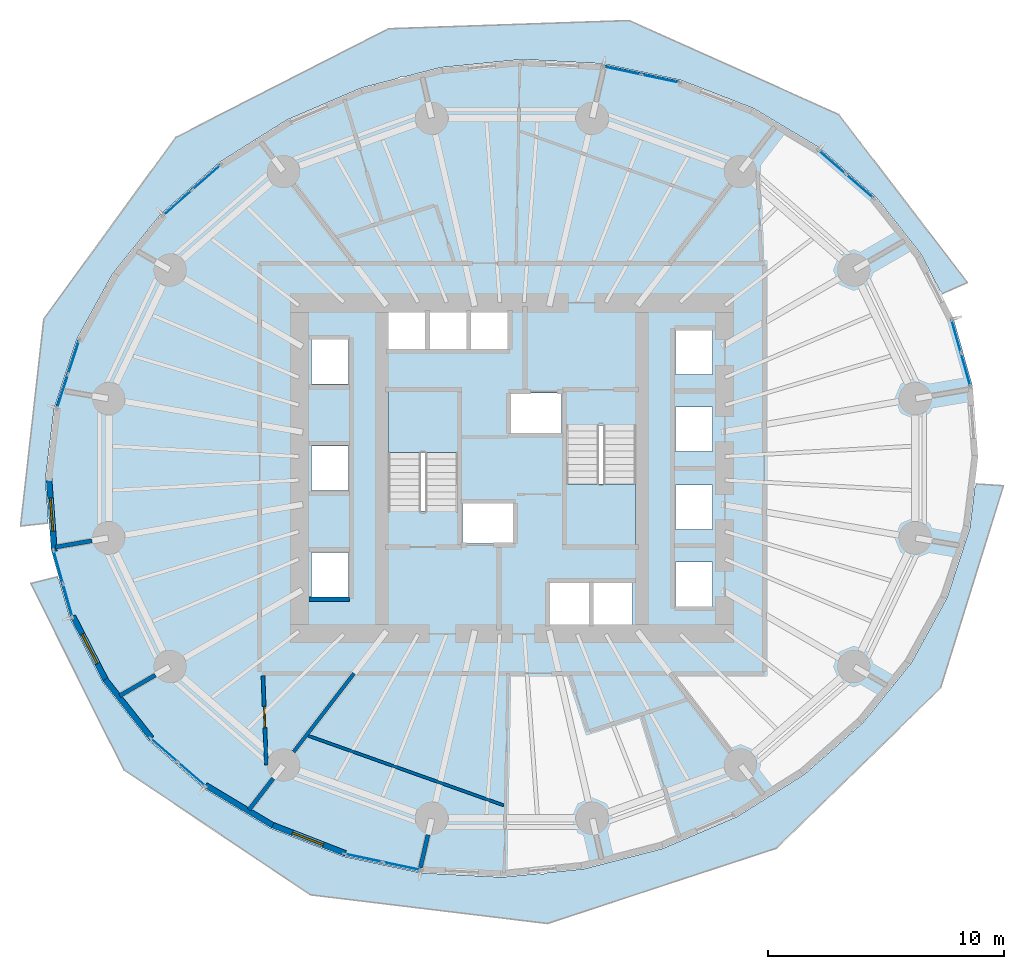
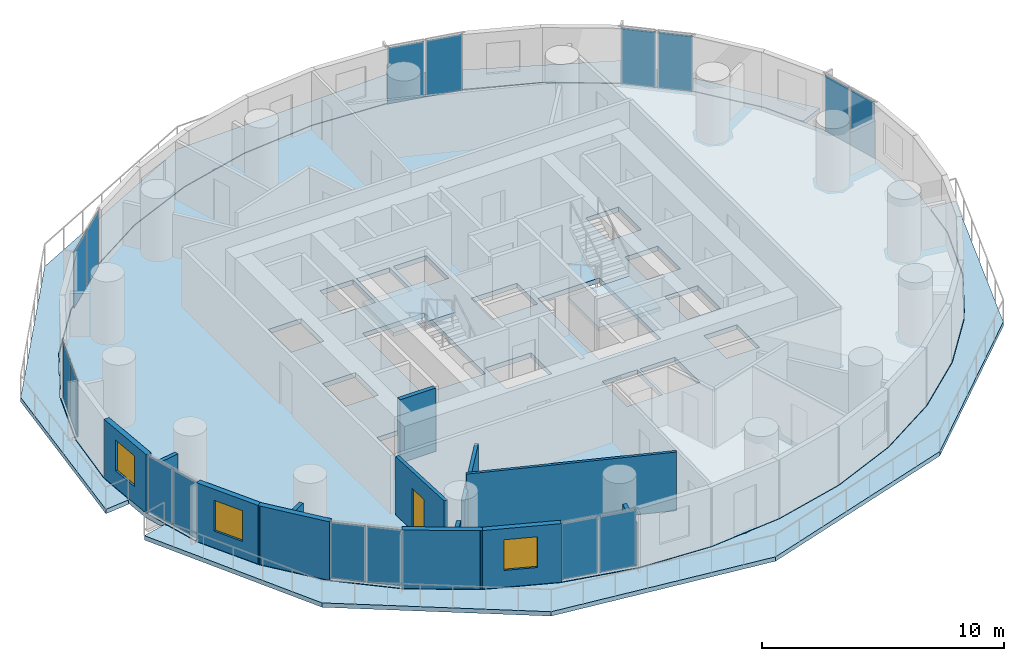
# One storey, part 6 of 13: 16 plates, 13 walls, 5 slabs, 3 windows, 1 door, 4 openings, 10 elements without a shape of their own.
"""IFC4 building model written with IfcOpenShell, lengths in metres."""

import ifcopenshell
import ifcopenshell.guid

model = None  # the IFC model being written
_history = None  # IfcOwnerHistory: only IFC2X3 demands one
_inside = {}  # id of a spatial element -> (the spatial element, [elements in it])
_under = {}  # id of a project, library or spatial element -> (it, [spatial elements below it])
_declared = {}  # id of a project -> (the project, [libraries it declares])
_typed = {}  # id of a type object -> (the type object, [elements of that type])
_made_of = {}  # id of a material, layer set ... -> (it, [elements and type objects made of it])


def new_model(schema):
    """Start an empty IFC model of exactly this schema.

    Asked for "IFC4X3", IfcOpenShell would pick the latest addendum, in which some entities
    have other attributes; the version numbers below select the first issue.
    IFC2X3 requires an IfcOwnerHistory on every rooted entity: one is made here for all.
    """
    global model, _history
    if schema == "IFC4X3":
        model = ifcopenshell.file(schema_version=(4, 3, 0, 0))
    else:
        model = ifcopenshell.file(schema=schema)
    _inside.clear()
    _under.clear()
    _declared.clear()
    _typed.clear()
    _made_of.clear()
    _history = None
    if model.schema == "IFC2X3":
        org = make("IfcOrganization", Name="unknown")
        user = make(
            "IfcPersonAndOrganization",
            ThePerson=make("IfcPerson", FamilyName="unknown"),
            TheOrganization=org,
        )
        app = make(
            "IfcApplication",
            ApplicationDeveloper=org,
            Version="unknown",
            ApplicationFullName="unknown",
            ApplicationIdentifier="unknown",
        )
        _history = make(
            "IfcOwnerHistory",
            OwningUser=user,
            OwningApplication=app,
            ChangeAction="ADDED",
            CreationDate=0,
        )
    return model


def make(cls, **values):
    """One entity of the class cls with the attributes given. An attribute that is None is left unset."""
    return model.create_entity(
        cls, **{name: value for name, value in values.items() if value is not None}
    )


def rooted(cls, **values):
    """An entity with a GlobalId (a new one), such as an element, a storey or a relation."""
    return make(cls, GlobalId=ifcopenshell.guid.new(), OwnerHistory=_history, **values)


def si_unit(unit_type, name, prefix=None):
    """IfcSIUnit, for example si_unit("LENGTHUNIT", "METRE", prefix="MILLI")."""
    return make("IfcSIUnit", UnitType=unit_type, Prefix=prefix, Name=name)


def assignment(units):
    """IfcUnitAssignment: the units of a project."""
    return None if units is None else make("IfcUnitAssignment", Units=units)


def point(xyz):
    """IfcCartesianPoint."""
    return None if xyz is None else make("IfcCartesianPoint", Coordinates=xyz)


def direction(xyz):
    """IfcDirection."""
    return None if xyz is None else make("IfcDirection", DirectionRatios=xyz)


def frame(location, z_axis=None, x_axis=None):
    """IfcAxis2Placement3D, a coordinate frame: its origin and axes. An axis left out is left unset."""
    return make(
        "IfcAxis2Placement3D",
        Location=point(location),
        Axis=direction(z_axis),
        RefDirection=direction(x_axis),
    )


def frame_2d(location, x_axis=None):
    """IfcAxis2Placement2D, a coordinate frame in the plane: its origin and x axis."""
    return make(
        "IfcAxis2Placement2D", Location=point(location), RefDirection=direction(x_axis)
    )


def origin():
    """The frame at (0, 0, 0) with its axes left unset."""
    return frame((0.0, 0.0, 0.0))


def origin_2d():
    """The frame at (0, 0) in the plane with its x axis left unset."""
    return frame_2d((0.0, 0.0))


def place(relative_to, where):
    """IfcLocalPlacement: puts the frame where relative to a parent placement (None: the world)."""
    return make(
        "IfcLocalPlacement", PlacementRelTo=relative_to, RelativePlacement=where
    )


def context(
    kind, dimensions, precision=None, world=None, true_north=None, identifier=None
):
    """IfcGeometricRepresentationContext, for example the 3D "Model" context."""
    return make(
        "IfcGeometricRepresentationContext",
        ContextIdentifier=identifier,
        ContextType=kind,
        CoordinateSpaceDimension=dimensions,
        Precision=precision,
        WorldCoordinateSystem=world,
        TrueNorth=true_north,
    )


def subcontext(parent, identifier, kind, view, scale=None):
    """IfcGeometricRepresentationSubContext, for example "Body" below "Model"."""
    return make(
        "IfcGeometricRepresentationSubContext",
        ContextIdentifier=identifier,
        ContextType=kind,
        ParentContext=parent,
        TargetScale=scale,
        TargetView=view,
    )


def project(units=None, contexts=None):
    """IfcProject with its units and contexts."""
    return rooted(
        "IfcProject",
        Name="project",
        RepresentationContexts=contexts,
        UnitsInContext=assignment(units),
    )


def spatial(cls, under=None, at=None, **own):
    """A site, building, storey or space (cls), placed at a placement, below another one or the project."""
    s = rooted(cls, ObjectPlacement=at, **own)
    if under is not None:
        _under.setdefault(under.id(), (under, []))[1].append(s)
    return s


def polyline(points):
    """IfcPolyline through the points."""
    return make("IfcPolyline", Points=[point(p) for p in points])


def profile(cls, at=None, kind="AREA", **sizes):
    """A parametric profile (cls). Its sizes go by their IFC names, for example OverallWidth=200.0."""
    return make(cls, ProfileType=kind, Position=at, **sizes)


def rectangle(**sizes):
    """IfcRectangleProfileDef."""
    return profile("IfcRectangleProfileDef", **sizes)


def outline(outer, holes=None, kind="AREA"):
    """IfcArbitraryClosedProfileDef: a profile drawn as a closed curve; with holes, ...WithVoids."""
    if holes is None:
        return make("IfcArbitraryClosedProfileDef", ProfileType=kind, OuterCurve=outer)
    return make(
        "IfcArbitraryProfileDefWithVoids",
        ProfileType=kind,
        OuterCurve=outer,
        InnerCurves=holes,
    )


def extrude(swept, where, along, depth):
    """IfcExtrudedAreaSolid: the profile swept, set in the frame where, extruded along a direction by depth."""
    return make(
        "IfcExtrudedAreaSolid",
        SweptArea=swept,
        Position=where,
        ExtrudedDirection=direction(along),
        Depth=depth,
    )


def shape(context_of_items, identifier, shape_type, items):
    """IfcShapeRepresentation: the items that make up one representation, for example the "Body"."""
    return make(
        "IfcShapeRepresentation",
        ContextOfItems=context_of_items,
        RepresentationIdentifier=identifier,
        RepresentationType=shape_type,
        Items=items,
    )


def material(Name=None, Category=None):
    """IfcMaterial."""
    return make("IfcMaterial", Name=Name, Category=Category)


def layer(
    of_material, thickness, ventilated=None, Name=None, Category=None, Priority=None
):
    """IfcMaterialLayer: one layer of a wall or slab, of a material (None: an air gap)."""
    return make(
        "IfcMaterialLayer",
        Material=of_material,
        LayerThickness=thickness,
        IsVentilated=ventilated,
        Name=Name,
        Category=Category,
        Priority=Priority,
    )


def layer_set(layers, Name=None):
    """IfcMaterialLayerSet."""
    return make("IfcMaterialLayerSet", MaterialLayers=layers, LayerSetName=Name)


def made_of(thing, what):
    """Note that an element or type object is made of a material, layer set ...; save() writes the relation."""
    if what is not None:
        _made_of.setdefault(what.id(), (what, []))[1].append(thing)
    return thing


def type_object(cls, material=None, **own):
    """A type object (cls), such as IfcWallType, which elements share."""
    return made_of(rooted(cls, **own), material)


def element(
    cls,
    number,
    at=None,
    inside=None,
    cuts=None,
    type_object=None,
    material=None,
    context=None,
    identifier="Body",
    shape_type=None,
    held_by="IfcProductDefinitionShape",
    body=None,
    shapes=None,
    **own,
):
    """One element of the class cls, such as IfcWall. Its Tag is "e" and its number.

    at: its placement. inside: the storey or other place that contains it. cuts: it is an
    opening in that element (IfcRelVoidsElement). A single representation is given by context,
    identifier, shape_type and body (its items); several are given by shapes. held_by: the class
    of the entity that holds the representations. save() writes the other relations.
    """
    e = rooted(cls, Tag="e%d" % number, ObjectPlacement=at, **own)
    if body is not None:
        shapes = [shape(context, identifier, shape_type, body)]
    if shapes is not None:
        e.Representation = make(held_by, Representations=shapes)
    if inside is not None:
        _inside.setdefault(inside.id(), (inside, []))[1].append(e)
    if cuts is not None:
        rooted(
            "IfcRelVoidsElement", RelatingBuildingElement=cuts, RelatedOpeningElement=e
        )
    if type_object is not None:
        _typed.setdefault(type_object.id(), (type_object, []))[1].append(e)
    return made_of(e, material)


def fill(opening, filler):
    """IfcRelFillsElement: the door or window that sits in an opening."""
    return rooted(
        "IfcRelFillsElement",
        RelatingOpeningElement=opening,
        RelatedBuildingElement=filler,
    )


def aggregate(whole, parts):
    """IfcRelAggregates: a whole, such as a stair, and the parts it consists of."""
    return rooted("IfcRelAggregates", RelatingObject=whole, RelatedObjects=parts)


def save(model, path):
    """Write the relations noted so far, then the file.

    IfcRelAggregates (storeys below a building ...), IfcRelContainedInSpatialStructure (elements
    in a storey), IfcRelDefinesByType, IfcRelAssociatesMaterial and IfcRelDeclares: one each for
    every whole, place, type object, material and project.
    """
    for whole, parts in _under.values():
        aggregate(whole, parts)
    for where, things in _inside.values():
        rooted(
            "IfcRelContainedInSpatialStructure",
            RelatedElements=things,
            RelatingStructure=where,
        )
    for kind, things in _typed.values():
        rooted("IfcRelDefinesByType", RelatedObjects=things, RelatingType=kind)
    for what, things in _made_of.values():
        rooted("IfcRelAssociatesMaterial", RelatedObjects=things, RelatingMaterial=what)
    for by, libraries in _declared.values():
        rooted("IfcRelDeclares", RelatingContext=by, RelatedDefinitions=libraries)
    model.write(path)


model = new_model("IFC4")

# Units and contexts
model_context = context("Model", 3, precision=1e-05, world=origin(), true_north=direction((0.0, 1.0)))
body_context = subcontext(model_context, "Body", "Model", "MODEL_VIEW")
ifc_project = project(units=[si_unit("LENGTHUNIT", "METRE"), si_unit("AREAUNIT", "SQUARE_METRE"), si_unit("VOLUMEUNIT", "CUBIC_METRE"), si_unit("PLANEANGLEUNIT", "RADIAN"), si_unit("MASSUNIT", "GRAM", prefix="KILO")], contexts=[model_context])

# Site, building, storey
site_placement = place(None, origin())
site = spatial("IfcSite", under=ifc_project, at=site_placement, CompositionType="ELEMENT")
building_placement = place(site_placement, origin())
building = spatial("IfcBuilding", under=site, at=building_placement, Name="Veldorim Arch Residences", CompositionType="ELEMENT")
storey_placement = place(building_placement, frame((0.0, 0.0, 47.199951171875)))
storey = spatial("IfcBuildingStorey", under=building, at=storey_placement, Name="L13", CompositionType="ELEMENT", Elevation=47.199951171875)

# Slabs
ifc_material_1 = material(Name="Concrete C40/50", Category="concrete")
ifc_layer_1 = layer(ifc_material_1, 0.219970703125, Name="Planted Crescent Cantilever Balcony Slab 220")
ifc_layer_set_1 = layer_set([ifc_layer_1], Name="Concrete C40/50")
slab_type_1 = type_object("IfcSlabType", Name="Planted Crescent Cantilever Balcony Slab 220", PredefinedType="FLOOR", material=ifc_layer_set_1)
slab_1_placement = place(storey_placement, frame((0.0, 0.0, -0.219970703125)))
element("IfcSlab", 1, at=slab_1_placement, inside=storey, type_object=slab_type_1, Name="L13 planted crescent balcony slab A", PredefinedType="FLOOR", context=body_context, shape_type="SweptSolid", body=[
    extrude(outline(polyline([(50.09228515625, 31.54150390625), (49.310302734375, 33.06201171875), (47.3955078125, 35.485595703125), (45.01318359375, 37.560302734375), (42.235595703125, 39.22265625), (39.147216796875, 40.42236328125), (35.841796875, 41.123291015625), (32.419921875, 41.30419921875), (28.985107421875, 40.959228515625), (27.514892578125, 40.580810546875), (27.31689453125, 40.572021484375), (27.14013671875, 40.484619140625), (25.64208984375, 40.09912109375), (22.4921875, 38.750244140625), (19.630615234375, 36.953125), (17.14501953125, 34.762451171875), (15.110595703125, 32.24462890625), (13.589111328125, 29.47607421875), (12.627197265625, 26.541015625), (12.25390625, 23.5283203125), (12.37939453125, 21.86962890625), (12.34716796875, 21.681884765625), (11.2041015625, 21.557373046875), (12.189453125, 30.31494140625), (17.773193359375, 38.0029296875), (26.772216796875, 42.60009765625), (36.96337890625, 42.94677734375), (45.82080078125, 38.97314453125), (51.26953125, 31.861328125), (50.2177734375, 31.396484375), (50.09228515625, 31.54150390625)])), origin(), (0.0, 0.0, 1.0), 0.219970703125),
])
slab_2_placement = place(storey_placement, frame((0.0, 0.0, -0.219970703125)))
element("IfcSlab", 2, at=slab_2_placement, inside=storey, type_object=slab_type_1, Name="L13 planted crescent balcony slab B", PredefinedType="FLOOR", context=body_context, shape_type="SweptSolid", body=[
    extrude(outline(polyline([(12.84716796875, 19.238037109375), (13.301025390625, 17.63720703125), (14.689697265625, 14.93798828125), (16.6044921875, 12.514404296875), (18.98681640625, 10.439697265625), (21.764404296875, 8.77734375), (24.852783203125, 7.57763671875), (28.158203125, 6.876708984375), (31.580078125, 6.69580078125), (33.118896484375, 6.850341796875), (33.315185546875, 6.829345703125), (33.504150390625, 6.88916015625), (35.014892578125, 7.040771484375), (38.35791015625, 7.90087890625), (41.5078125, 9.249755859375), (44.369384765625, 11.046875), (46.85498046875, 13.237548828125), (48.889404296875, 15.75537109375), (50.410888671875, 18.52392578125), (51.372802734375, 21.458984375), (51.5830078125, 23.15576171875), (51.650634765625, 23.33544921875), (52.79833984375, 23.261474609375), (50.134521484375, 14.70751953125), (43.189208984375, 7.924560546875), (33.502685546875, 4.73779296875), (23.470947265625, 5.951904296875), (15.57958984375, 11.244384765625), (11.63623046875, 19.1259765625), (12.75244140625, 19.40283203125), (12.84716796875, 19.238037109375)])), origin(), (0.0, 0.0, 1.0), 0.219970703125),
])

# Stair, slab
ifc_material_2 = material(Name="Concrete C40/50", Category="concrete")
stair_type = type_object("IfcStairType", Name="Reinforced Concrete Dogleg Exit Staircase", PredefinedType="HALF_TURN_STAIR", material=ifc_material_2)
stair_1_placement = place(storey_placement, origin())
stair_1 = element("IfcStair", 3, at=stair_1_placement, inside=storey, type_object=stair_type, Name="L13 Exit Staircase ST-1", PredefinedType="HALF_TURN_STAIR")
ifc_material_3 = material(Name="Concrete C40/50", Category="concrete")
ifc_layer_2 = layer(ifc_material_3, 0.199951171875, Name="Reinforced Concrete Stair Landing 200")
ifc_layer_set_2 = layer_set([ifc_layer_2], Name="Concrete C40/50")
slab_type_2 = type_object("IfcSlabType", Name="Reinforced Concrete Stair Landing 200", PredefinedType="LANDING", material=ifc_layer_set_2)
slab_3_placement = place(storey_placement, frame((0.0, 0.0, 1.400146484375)))
slab_3 = element("IfcSlab", 4, at=slab_3_placement, type_object=slab_type_2, Name="ST-1 landing 1", PredefinedType="LANDING", context=body_context, shape_type="SweptSolid", body=[
    extrude(outline(polyline([(29.7099609375, 24.669921875), (29.7099609375, 27.25), (26.75, 27.25), (26.75, 24.669921875), (29.7099609375, 24.669921875)])), origin(), (0.0, 0.0, 1.0), 0.199951171875),
])
aggregate(stair_1, [slab_3])

stair_2_placement = place(storey_placement, origin())
stair_2 = element("IfcStair", 5, at=stair_2_placement, inside=storey, type_object=stair_type, Name="L13 Exit Staircase ST-2", PredefinedType="HALF_TURN_STAIR")
slab_4_placement = place(storey_placement, frame((0.0, 0.0, 1.400146484375)))
slab_4 = element("IfcSlab", 6, at=slab_4_placement, type_object=slab_type_2, Name="ST-2 landing 1", PredefinedType="LANDING", context=body_context, shape_type="SweptSolid", body=[
    extrude(outline(polyline([(34.2900390625, 23.330078125), (34.2900390625, 20.75), (37.25, 20.75), (37.25, 23.330078125), (34.2900390625, 23.330078125)])), origin(), (0.0, 0.0, 1.0), 0.199951171875),
])
aggregate(stair_2, [slab_4])

# Slab
ifc_material_4 = material(Name="Concrete C40/50", Category="concrete")
ifc_layer_3 = layer(ifc_material_4, 0.239990234375, Name="Typical Residential Floor Slab 240")
ifc_layer_set_3 = layer_set([ifc_layer_3], Name="Concrete C40/50")
slab_type_3 = type_object("IfcSlabType", Name="Typical Residential Floor Slab 240", PredefinedType="FLOOR", material=ifc_layer_set_3)
slab_5_placement = place(storey_placement, frame((0.0, 0.0, -0.239990234375)))
element("IfcSlab", 7, at=slab_5_placement, inside=storey, type_object=slab_type_3, Name="L13 tower structural floor slab", PredefinedType="FLOOR", context=body_context, shape_type="SweptSolid", body=[
    extrude(outline(polyline([(51.494384765625, 27.465576171875), (50.675537109375, 30.353515625), (49.2890625, 33.04833984375), (47.37744140625, 35.468505859375), (44.99853515625, 37.5400390625), (42.224609375, 39.2001953125), (39.14013671875, 40.3984375), (35.838623046875, 41.098388671875), (32.42041015625, 41.279052734375), (28.989501953125, 40.9345703125), (25.650146484375, 40.075439453125), (22.503662109375, 38.72802734375), (19.645751953125, 36.93310546875), (17.1630859375, 34.7451171875), (15.13134765625, 32.230712890625), (13.6123046875, 29.466064453125), (12.651611328125, 26.535400390625), (12.279052734375, 23.52783203125), (12.505615234375, 20.534423828125), (13.324462890625, 17.646484375), (14.7109375, 14.95166015625), (16.62255859375, 12.531494140625), (19.00146484375, 10.4599609375), (21.775390625, 8.7998046875), (24.85986328125, 7.6015625), (28.161376953125, 6.901611328125), (31.57958984375, 6.720947265625), (35.010498046875, 7.0654296875), (38.349853515625, 7.924560546875), (41.496337890625, 9.27197265625), (44.354248046875, 11.06689453125), (46.8369140625, 13.2548828125), (48.86865234375, 15.769287109375), (50.3876953125, 18.533935546875), (51.348388671875, 21.464599609375), (51.720947265625, 24.47216796875), (51.494384765625, 27.465576171875)]), holes=[polyline([(23.510009765625, 20.43994140625), (25.090087890625, 20.43994140625), (25.090087890625, 18.56005859375), (23.510009765625, 18.56005859375), (23.510009765625, 20.43994140625)]), polyline([(29.909912109375, 22.544921875), (32.090087890625, 22.544921875), (32.090087890625, 20.81494140625), (29.909912109375, 20.81494140625), (29.909912109375, 22.544921875)]), polyline([(23.510009765625, 24.93994140625), (25.090087890625, 24.93994140625), (25.090087890625, 23.06005859375), (23.510009765625, 23.06005859375), (23.510009765625, 24.93994140625)]), polyline([(26.75, 27.25), (29.7099609375, 27.25), (29.7099609375, 22.195068359375), (26.75, 22.195068359375), (26.75, 27.25)]), polyline([(23.510009765625, 29.43994140625), (25.090087890625, 29.43994140625), (25.090087890625, 27.56005859375), (23.510009765625, 27.56005859375), (23.510009765625, 29.43994140625)]), polyline([(26.760009765625, 30.7900390625), (28.340087890625, 30.7900390625), (28.340087890625, 28.909912109375), (26.760009765625, 28.909912109375), (26.760009765625, 30.7900390625)]), polyline([(28.510009765625, 30.7900390625), (30.090087890625, 30.7900390625), (30.090087890625, 28.909912109375), (28.510009765625, 28.909912109375), (28.510009765625, 30.7900390625)]), polyline([(30.260009765625, 30.7900390625), (31.840087890625, 30.7900390625), (31.840087890625, 28.909912109375), (30.260009765625, 28.909912109375), (30.260009765625, 30.7900390625)]), polyline([(33.610107421875, 19.2900390625), (35.2900390625, 19.2900390625), (35.2900390625, 17.2099609375), (33.610107421875, 17.2099609375), (33.610107421875, 19.2900390625)]), polyline([(35.409912109375, 19.2900390625), (37.090087890625, 19.2900390625), (37.090087890625, 17.2099609375), (35.409912109375, 17.2099609375), (35.409912109375, 19.2900390625)]), polyline([(38.909912109375, 20.0400390625), (40.489990234375, 20.0400390625), (40.489990234375, 18.159912109375), (38.909912109375, 18.159912109375), (38.909912109375, 20.0400390625)]), polyline([(38.909912109375, 23.2900390625), (40.489990234375, 23.2900390625), (40.489990234375, 21.409912109375), (38.909912109375, 21.409912109375), (38.909912109375, 23.2900390625)]), polyline([(34.2900390625, 25.804931640625), (37.25, 25.804931640625), (37.25, 20.75), (34.2900390625, 20.75), (34.2900390625, 25.804931640625)]), polyline([(38.909912109375, 26.590087890625), (40.489990234375, 26.590087890625), (40.489990234375, 24.7099609375), (38.909912109375, 24.7099609375), (38.909912109375, 26.590087890625)]), polyline([(31.909912109375, 27.18505859375), (34.090087890625, 27.18505859375), (34.090087890625, 25.455078125), (31.909912109375, 25.455078125), (31.909912109375, 27.18505859375)]), polyline([(38.909912109375, 29.840087890625), (40.489990234375, 29.840087890625), (40.489990234375, 27.9599609375), (38.909912109375, 27.9599609375), (38.909912109375, 29.840087890625)])]), origin(), (0.0, 0.0, 1.0), 0.239990234375),
])

# Curtain wall, plates
ifc_material_5 = material(Name="Aluminium", Category="aluminium")
curtain_wall_type = type_object("IfcCurtainWallType", Name="Zone 1 Acoustic Low-E Unitised Curtain Wall", PredefinedType="NOTDEFINED", material=ifc_material_5)
curtain_wall_1_placement = place(storey_placement, origin())
curtain_wall_1 = element("IfcCurtainWall", 8, at=curtain_wall_1_placement, inside=storey, type_object=curtain_wall_type, Name="L13 unitised curtain wall bay 01", PredefinedType="NOTDEFINED")
ifc_material_6 = material(Name="Laminated Low-E Glass", Category="glass")
ifc_layer_4 = layer(ifc_material_6, 0.02587890625, Name="Zone 1 Acoustic Low-E Unitised Curtain Wall Glazing Panel 26")
ifc_layer_set_4 = layer_set([ifc_layer_4], Name="Laminated Low-E Glass")
plate_type = type_object("IfcPlateType", Name="Zone 1 Acoustic Low-E Unitised Curtain Wall Glazing Panel 26", PredefinedType="CURTAIN_PANEL", material=ifc_layer_set_4)
plate_1_placement = place(storey_placement, frame((50.798095703125, 29.59130859375, 0.06494140625), z_axis=(0.0, 0.0, 1.0), x_axis=(0.27279786898, -0.962071370887, 0.0)))
plate_1 = element("IfcPlate", 9, at=plate_1_placement, type_object=plate_type, Name="CW-Z1 panel 1.1", PredefinedType="CURTAIN_PANEL", context=body_context, shape_type="SweptSolid", body=[
    extrude(rectangle(XDim=1.4033203125, YDim=0.02587890625, at=origin_2d()), origin(), (0.0, 0.0, 1.0), 2.830078125),
])
plate_2_placement = place(storey_placement, frame((51.19873046875, 28.178466796875, 0.06494140625), z_axis=(0.0, 0.0, 1.0), x_axis=(0.27279786898, -0.962071370887, 0.0)))
plate_2 = element("IfcPlate", 10, at=plate_2_placement, type_object=plate_type, Name="CW-Z1 panel 2.1", PredefinedType="CURTAIN_PANEL", context=body_context, shape_type="SweptSolid", body=[
    extrude(rectangle(XDim=1.4033203125, YDim=0.02587890625, at=origin_2d()), origin(), (0.0, 0.0, 1.0), 2.830078125),
])
aggregate(curtain_wall_1, [plate_1, plate_2])

curtain_wall_2_placement = place(storey_placement, origin())
curtain_wall_2 = element("IfcCurtainWall", 11, at=curtain_wall_2_placement, inside=storey, type_object=curtain_wall_type, Name="L13 unitised curtain wall bay 04", PredefinedType="NOTDEFINED")
plate_3_placement = place(storey_placement, frame((45.54638671875, 36.943603515625, 0.06494140625), z_axis=(0.0, 0.0, 1.0), x_axis=(0.754135785195, -0.656718522267, 0.0)))
plate_3 = element("IfcPlate", 12, at=plate_3_placement, type_object=plate_type, Name="CW-Z1 panel 1.1", PredefinedType="CURTAIN_PANEL", context=body_context, shape_type="SweptSolid", body=[
    extrude(rectangle(XDim=1.479736328125, YDim=0.02587890625, at=origin_2d()), origin(), (0.0, 0.0, 1.0), 2.830078125),
])
plate_4_placement = place(storey_placement, frame((46.71142578125, 35.928955078125, 0.06494140625), z_axis=(0.0, 0.0, 1.0), x_axis=(0.754135785195, -0.656718522267, 0.0)))
plate_4 = element("IfcPlate", 13, at=plate_4_placement, type_object=plate_type, Name="CW-Z1 panel 2.1", PredefinedType="CURTAIN_PANEL", context=body_context, shape_type="SweptSolid", body=[
    extrude(rectangle(XDim=1.479736328125, YDim=0.02587890625, at=origin_2d()), origin(), (0.0, 0.0, 1.0), 2.830078125),
])
aggregate(curtain_wall_2, [plate_3, plate_4])

curtain_wall_3_placement = place(storey_placement, origin())
curtain_wall_3 = element("IfcCurtainWall", 14, at=curtain_wall_3_placement, inside=storey, type_object=curtain_wall_type, Name="L13 unitised curtain wall bay 07", PredefinedType="NOTDEFINED")
plate_5_placement = place(storey_placement, frame((36.6611328125, 40.83203125, 0.06494140625), z_axis=(0.0, 0.0, 1.0), x_axis=(0.978247245919, -0.207442343439, 0.0)))
plate_5 = element("IfcPlate", 15, at=plate_5_placement, type_object=plate_type, Name="CW-Z1 panel 1.1", PredefinedType="CURTAIN_PANEL", context=body_context, shape_type="SweptSolid", body=[
    extrude(rectangle(XDim=1.58984375, YDim=0.02587890625, at=origin_2d()), origin(), (0.0, 0.0, 1.0), 2.830078125),
])
plate_6_placement = place(storey_placement, frame((38.280029296875, 40.48876953125, 0.06494140625), z_axis=(0.0, 0.0, 1.0), x_axis=(0.978247245919, -0.207442343439, 0.0)))
plate_6 = element("IfcPlate", 16, at=plate_6_placement, type_object=plate_type, Name="CW-Z1 panel 2.1", PredefinedType="CURTAIN_PANEL", context=body_context, shape_type="SweptSolid", body=[
    extrude(rectangle(XDim=1.58984375, YDim=0.02587890625, at=origin_2d()), origin(), (0.0, 0.0, 1.0), 2.830078125),
])
aggregate(curtain_wall_3, [plate_5, plate_6])

curtain_wall_4_placement = place(storey_placement, origin())
curtain_wall_4 = element("IfcCurtainWall", 17, at=curtain_wall_4_placement, inside=storey, type_object=curtain_wall_type, Name="L13 unitised curtain wall bay 13", PredefinedType="NOTDEFINED")
plate_7_placement = place(storey_placement, frame((17.85546875, 35.2353515625, 0.06494140625), z_axis=(0.0, 0.0, 1.0), x_axis=(0.750203728094, 0.661206750082, 0.0)))
plate_7 = element("IfcPlate", 18, at=plate_7_placement, type_object=plate_type, Name="CW-Z1 panel 1.1", PredefinedType="CURTAIN_PANEL", context=body_context, shape_type="SweptSolid", body=[
    extrude(rectangle(XDim=1.55712890625, YDim=0.02587890625, at=origin_2d()), origin(), (0.0, 0.0, 1.0), 2.830078125),
])
plate_8_placement = place(storey_placement, frame((19.072265625, 36.307861328125, 0.06494140625), z_axis=(0.0, 0.0, 1.0), x_axis=(0.750203728094, 0.661206750082, 0.0)))
plate_8 = element("IfcPlate", 19, at=plate_8_placement, type_object=plate_type, Name="CW-Z1 panel 2.1", PredefinedType="CURTAIN_PANEL", context=body_context, shape_type="SweptSolid", body=[
    extrude(rectangle(XDim=1.55712890625, YDim=0.02587890625, at=origin_2d()), origin(), (0.0, 0.0, 1.0), 2.830078125),
])
aggregate(curtain_wall_4, [plate_7, plate_8])

curtain_wall_5_placement = place(storey_placement, origin())
curtain_wall_5 = element("IfcCurtainWall", 20, at=curtain_wall_5_placement, inside=storey, type_object=curtain_wall_type, Name="L13 unitised curtain wall bay 16", PredefinedType="NOTDEFINED")
plate_9_placement = place(storey_placement, frame((12.982421875, 27.255615234375, 0.06494140625), z_axis=(0.0, 0.0, 1.0), x_axis=(0.31144747365, 0.950263369365, 0.0)))
plate_9 = element("IfcPlate", 21, at=plate_9_placement, type_object=plate_type, Name="CW-Z1 panel 1.1", PredefinedType="CURTAIN_PANEL", context=body_context, shape_type="SweptSolid", body=[
    extrude(rectangle(XDim=1.444580078125, YDim=0.02587890625, at=origin_2d()), origin(), (0.0, 0.0, 1.0), 2.830078125),
])
plate_10_placement = place(storey_placement, frame((13.452392578125, 28.68994140625, 0.06494140625), z_axis=(0.0, 0.0, 1.0), x_axis=(0.31144747365, 0.950263369365, 0.0)))
plate_10 = element("IfcPlate", 22, at=plate_10_placement, type_object=plate_type, Name="CW-Z1 panel 2.1", PredefinedType="CURTAIN_PANEL", context=body_context, shape_type="SweptSolid", body=[
    extrude(rectangle(XDim=1.444580078125, YDim=0.02587890625, at=origin_2d()), origin(), (0.0, 0.0, 1.0), 2.830078125),
])
aggregate(curtain_wall_5, [plate_9, plate_10])

curtain_wall_6_placement = place(storey_placement, origin())
curtain_wall_6 = element("IfcCurtainWall", 23, at=curtain_wall_6_placement, inside=storey, type_object=curtain_wall_type, Name="L13 unitised curtain wall bay 19", PredefinedType="NOTDEFINED")
plate_11_placement = place(storey_placement, frame((13.201904296875, 18.40869140625, 0.06494140625), z_axis=(0.0, 0.0, 1.0), x_axis=(-0.27279786898, 0.962071370887, 0.0)))
plate_11 = element("IfcPlate", 24, at=plate_11_placement, type_object=plate_type, Name="CW-Z1 panel 1.1", PredefinedType="CURTAIN_PANEL", context=body_context, shape_type="SweptSolid", body=[
    extrude(rectangle(XDim=1.4033203125, YDim=0.02587890625, at=origin_2d()), origin(), (0.0, 0.0, 1.0), 2.830078125),
])
plate_12_placement = place(storey_placement, frame((12.80126953125, 19.821533203125, 0.06494140625), z_axis=(0.0, 0.0, 1.0), x_axis=(-0.27279786898, 0.962071370887, 0.0)))
plate_12 = element("IfcPlate", 25, at=plate_12_placement, type_object=plate_type, Name="CW-Z1 panel 2.1", PredefinedType="CURTAIN_PANEL", context=body_context, shape_type="SweptSolid", body=[
    extrude(rectangle(XDim=1.4033203125, YDim=0.02587890625, at=origin_2d()), origin(), (0.0, 0.0, 1.0), 2.830078125),
])
aggregate(curtain_wall_6, [plate_11, plate_12])

curtain_wall_7_placement = place(storey_placement, origin())
curtain_wall_7 = element("IfcCurtainWall", 26, at=curtain_wall_7_placement, inside=storey, type_object=curtain_wall_type, Name="L13 unitised curtain wall bay 22", PredefinedType="NOTDEFINED")
plate_13_placement = place(storey_placement, frame((18.45361328125, 11.056396484375, 0.06494140625), z_axis=(0.0, 0.0, 1.0), x_axis=(-0.754135785195, 0.656718522267, 0.0)))
plate_13 = element("IfcPlate", 27, at=plate_13_placement, type_object=plate_type, Name="CW-Z1 panel 1.1", PredefinedType="CURTAIN_PANEL", context=body_context, shape_type="SweptSolid", body=[
    extrude(rectangle(XDim=1.479736328125, YDim=0.02587890625, at=origin_2d()), origin(), (0.0, 0.0, 1.0), 2.830078125),
])
plate_14_placement = place(storey_placement, frame((17.28857421875, 12.071044921875, 0.06494140625), z_axis=(0.0, 0.0, 1.0), x_axis=(-0.754135785195, 0.656718522267, 0.0)))
plate_14 = element("IfcPlate", 28, at=plate_14_placement, type_object=plate_type, Name="CW-Z1 panel 2.1", PredefinedType="CURTAIN_PANEL", context=body_context, shape_type="SweptSolid", body=[
    extrude(rectangle(XDim=1.479736328125, YDim=0.02587890625, at=origin_2d()), origin(), (0.0, 0.0, 1.0), 2.830078125),
])
aggregate(curtain_wall_7, [plate_13, plate_14])

curtain_wall_8_placement = place(storey_placement, origin())
curtain_wall_8 = element("IfcCurtainWall", 29, at=curtain_wall_8_placement, inside=storey, type_object=curtain_wall_type, Name="L13 unitised curtain wall bay 25", PredefinedType="NOTDEFINED")
plate_15_placement = place(storey_placement, frame((27.3388671875, 7.16796875, 0.06494140625), z_axis=(0.0, 0.0, 1.0), x_axis=(-0.978247245919, 0.207442343439, 0.0)))
plate_15 = element("IfcPlate", 30, at=plate_15_placement, type_object=plate_type, Name="CW-Z1 panel 1.1", PredefinedType="CURTAIN_PANEL", context=body_context, shape_type="SweptSolid", body=[
    extrude(rectangle(XDim=1.58984375, YDim=0.02587890625, at=origin_2d()), origin(), (0.0, 0.0, 1.0), 2.830078125),
])
plate_16_placement = place(storey_placement, frame((25.719970703125, 7.51123046875, 0.06494140625), z_axis=(0.0, 0.0, 1.0), x_axis=(-0.978247245919, 0.207442343439, 0.0)))
plate_16 = element("IfcPlate", 31, at=plate_16_placement, type_object=plate_type, Name="CW-Z1 panel 2.1", PredefinedType="CURTAIN_PANEL", context=body_context, shape_type="SweptSolid", body=[
    extrude(rectangle(XDim=1.58984375, YDim=0.02587890625, at=origin_2d()), origin(), (0.0, 0.0, 1.0), 2.830078125),
])
aggregate(curtain_wall_8, [plate_15, plate_16])

# Walls
ifc_material_7 = material(Name="Acoustic Gypsum Board", Category="gypsum")
ifc_layer_5 = layer(ifc_material_7, 0.125, Name="Acoustic Stud Room Partition Wall 125")
ifc_layer_set_5 = layer_set([ifc_layer_5], Name="Acoustic Gypsum Board")
wall_type_1 = type_object("IfcWallType", Name="Acoustic Stud Room Partition Wall 125", PredefinedType="PARTITIONING", material=ifc_layer_set_5)
wall_1_placement = place(storey_placement, frame((23.3046875, 12.70654296875, 0.0), z_axis=(0.0, 0.0, 1.0), x_axis=(0.942091409395, -0.33535619324, 0.0)))
element("IfcWall", 32, at=wall_1_placement, inside=storey, type_object=wall_type_1, Name="L13 interior wall WL-RES-L13-012", PredefinedType="PARTITIONING", context=body_context, shape_type="SweptSolid", body=[
    extrude(rectangle(XDim=8.853271484375, YDim=0.125, at=frame_2d((4.4267578125, 0.0))), origin(), (0.0, 0.0, 1.0), 2.955078125),
])
ifc_material_8 = material(Name="Lightweight Masonry Block & Gypsum", Category="masonry")
ifc_layer_6 = layer(ifc_material_8, 0.179931640625, Name="Compartment & Corridor Fire-Rated Party Wall 180")
ifc_layer_set_6 = layer_set([ifc_layer_6], Name="Lightweight Masonry Block & Gypsum")
wall_type_2 = type_object("IfcWallType", Name="Compartment & Corridor Fire-Rated Party Wall 180", PredefinedType="PARTITIONING", material=ifc_layer_set_6)
wall_2_placement = place(storey_placement, frame((14.224853515625, 20.931640625, 0.0), z_axis=(0.0, 0.0, 1.0), x_axis=(-0.985424214748, -0.170115011059, 0.0)))
element("IfcWall", 33, at=wall_2_placement, inside=storey, type_object=wall_type_2, Name="L13 interior wall WL-PIER-L13-09", PredefinedType="PARTITIONING", context=body_context, shape_type="SweptSolid", body=[
    extrude(rectangle(XDim=1.571533203125, YDim=0.179931640625, at=frame_2d((0.78564453125, 0.0))), origin(), (0.0, 0.0, 1.0), 2.17822265625),
])
wall_3_placement = place(storey_placement, frame((16.909423828125, 15.249755859375, 0.0), z_axis=(0.0, 0.0, 1.0), x_axis=(-0.865027552002, -0.501724360857, 0.0)))
element("IfcWall", 34, at=wall_3_placement, inside=storey, type_object=wall_type_2, Name="L13 interior wall WL-PIER-L13-10", PredefinedType="PARTITIONING", context=body_context, shape_type="SweptSolid", body=[
    extrude(rectangle(XDim=1.747802734375, YDim=0.179931640625, at=frame_2d((0.8740234375, 0.0))), origin(), (0.0, 0.0, 1.0), 2.17822265625),
])
wall_4_placement = place(storey_placement, frame((21.893798828125, 10.874267578125, 0.0), z_axis=(0.0, 0.0, 1.0), x_axis=(-0.610021184497, -0.792385104898, 0.0)))
element("IfcWall", 35, at=wall_4_placement, inside=storey, type_object=wall_type_2, Name="L13 interior wall WL-PIER-L13-11", PredefinedType="PARTITIONING", context=body_context, shape_type="SweptSolid", body=[
    extrude(rectangle(XDim=1.672119140625, YDim=0.179931640625, at=frame_2d((0.8359375, 0.0))), origin(), (0.0, 0.0, 1.0), 2.17822265625),
])
wall_5_placement = place(storey_placement, frame((28.444580078125, 8.48828125, 0.0), z_axis=(0.0, 0.0, 1.0), x_axis=(-0.223463944202, -0.974712196313, 0.0)))
element("IfcWall", 36, at=wall_5_placement, inside=storey, type_object=wall_type_2, Name="L13 interior wall WL-PIER-L13-12", PredefinedType="PARTITIONING", context=body_context, shape_type="SweptSolid", body=[
    extrude(rectangle(XDim=1.43115234375, YDim=0.179931640625, at=frame_2d((0.715576171875, 0.0))), origin(), (0.0, 0.0, 1.0), 2.17822265625),
])
ifc_material_9 = material(Name="Concrete C50/60", Category="concrete")
ifc_layer_7 = layer(ifc_material_9, 0.199951171875, Name="Core Stair & Lift Shaft Enclosure Wall 200")
ifc_layer_set_7 = layer_set([ifc_layer_7], Name="Concrete C50/60")
wall_type_3 = type_object("IfcWallType", Name="Core Stair & Lift Shaft Enclosure Wall 200", PredefinedType="SHEAR", material=ifc_layer_set_7)
wall_6_placement = place(storey_placement, frame((23.419921875, 18.4599609375, 0.0), z_axis=(0.0, 0.0, 1.0), x_axis=(1.0, 0.0, 0.0)))
element("IfcWall", 37, at=wall_6_placement, inside=storey, type_object=wall_type_3, Name="L13 shaft wall WL-B2-L13-S", PredefinedType="SHEAR", context=body_context, shape_type="SweptSolid", body=[
    extrude(rectangle(XDim=1.7099609375, YDim=0.199951171875, at=frame_2d((0.85498046875, 0.0))), origin(), (0.0, 0.0, 1.0), 3.199951171875),
])

# Wall, opening, window
ifc_material_10 = material(Name="Precast concrete C40/50", Category="concrete")
ifc_layer_8 = layer(ifc_material_10, 0.25, Name="Tower Terracotta Spandrel & Pier Wall 250")
ifc_layer_set_8 = layer_set([ifc_layer_8], Name="Precast concrete C40/50")
wall_type_4 = type_object("IfcWallType", Name="Tower Terracotta Spandrel & Pier Wall 250", PredefinedType="SOLIDWALL", material=ifc_layer_set_8)
wall_7_placement = place(storey_placement, frame((12.633544921875, 20.4990234375, 0.0), z_axis=(0.0, 0.0, 1.0), x_axis=(-0.075488770926, 0.997146651934, 0.0)))
wall_7 = element("IfcWall", 38, at=wall_7_placement, inside=storey, type_object=wall_type_4, Name="L13 terracotta facade wall 18", PredefinedType="SOLIDWALL", context=body_context, shape_type="SweptSolid", body=[
    extrude(rectangle(XDim=3.091796875, YDim=0.25, at=frame_2d((1.5458984375, 0.0))), origin(), (0.0, 0.0, 1.0), 2.9599609375),
])
opening_1_placement = place(wall_7_placement, frame((0.845947265625, 0.0, 0.85009765625)))
opening_1 = element("IfcOpeningElement", 39, at=opening_1_placement, cuts=wall_7, Name="Opening WN-02", PredefinedType="OPENING", context=body_context, shape_type="SweptSolid", body=[
    extrude(rectangle(XDim=1.39990234375, YDim=1.550048828125, at=frame_2d((0.699951171875, 0.77490234375))), frame((0.0, 0.135009765625, 0.0), z_axis=(0.0, -1.0, 0.0), x_axis=(1.0, 0.0, 0.0)), (0.0, 0.0, 1.0), 0.27001953125),
])
ifc_material_11 = material(Name="Laminated Low-E Glass", Category="glass")
window_type = type_object("IfcWindowType", Name="Residential Casement Window 1400x1550", PartitioningType="SINGLE_PANEL", PredefinedType="WINDOW", material=ifc_material_11)
window_1_placement = place(opening_1_placement, origin())
window_1 = element("IfcWindow", 40, at=window_1_placement, inside=storey, type_object=window_type, Name="L13 solar-control facade window 18", OverallHeight=1.550048828125, OverallWidth=1.39990234375, PartitioningType="SINGLE_PANEL", PredefinedType="WINDOW", context=body_context, shape_type="SweptSolid", body=[
    extrude(rectangle(XDim=1.39990234375, YDim=1.550048828125, at=frame_2d((0.699951171875, 0.77490234375))), frame((0.0, 0.030029296875, 0.0), z_axis=(0.0, -1.0, 0.0), x_axis=(1.0, 0.0, 0.0)), (0.0, 0.0, 1.0), 0.06005859375),
])
fill(opening_1, window_1)

wall_8_placement = place(storey_placement, frame((14.842529296875, 14.96875, 0.0), z_axis=(0.0, 0.0, 1.0), x_axis=(-0.457448772631, 0.889235975666, 0.0)))
wall_8 = element("IfcWall", 41, at=wall_8_placement, inside=storey, type_object=wall_type_4, Name="L13 terracotta facade wall 20", PredefinedType="SOLIDWALL", context=body_context, shape_type="SweptSolid", body=[
    extrude(rectangle(XDim=3.12060546875, YDim=0.25, at=frame_2d((1.560302734375, 0.0))), origin(), (0.0, 0.0, 1.0), 2.9599609375),
])
opening_2_placement = place(wall_8_placement, frame((0.860107421875, 0.0, 0.85009765625)))
opening_2 = element("IfcOpeningElement", 42, at=opening_2_placement, cuts=wall_8, Name="Opening WN-02", PredefinedType="OPENING", context=body_context, shape_type="SweptSolid", body=[
    extrude(rectangle(XDim=1.39990234375, YDim=1.550048828125, at=frame_2d((0.699951171875, 0.77490234375))), frame((0.0, 0.135009765625, 0.0), z_axis=(0.0, -1.0, 0.0), x_axis=(1.0, 0.0, 0.0)), (0.0, 0.0, 1.0), 0.27001953125),
])
window_2_placement = place(opening_2_placement, origin())
window_2 = element("IfcWindow", 43, at=window_2_placement, inside=storey, type_object=window_type, Name="L13 solar-control facade window 20", OverallHeight=1.550048828125, OverallWidth=1.39990234375, PartitioningType="SINGLE_PANEL", PredefinedType="WINDOW", context=body_context, shape_type="SweptSolid", body=[
    extrude(rectangle(XDim=1.39990234375, YDim=1.550048828125, at=frame_2d((0.699951171875, 0.77490234375))), frame((0.0, 0.030029296875, 0.0), z_axis=(0.0, -1.0, 0.0), x_axis=(1.0, 0.0, 0.0)), (0.0, 0.0, 1.0), 0.06005859375),
])
fill(opening_2, window_2)

# Walls
wall_9_placement = place(storey_placement, frame((16.74853515625, 12.57373046875, 0.0), z_axis=(0.0, 0.0, 1.0), x_axis=(-0.619871206143, 0.784703566829, 0.0)))
element("IfcWall", 44, at=wall_9_placement, inside=storey, type_object=wall_type_4, Name="L13 terracotta facade wall 21", PredefinedType="SOLIDWALL", context=body_context, shape_type="SweptSolid", body=[
    extrude(rectangle(XDim=3.174072265625, YDim=0.25, at=frame_2d((1.5869140625, 0.0))), origin(), (0.0, 0.0, 1.0), 2.9599609375),
])
wall_10_placement = place(storey_placement, frame((21.878173828125, 8.884033203125, 0.0), z_axis=(0.0, 0.0, 1.0), x_axis=(-0.858069400356, 0.513533742001, 0.0)))
element("IfcWall", 45, at=wall_10_placement, inside=storey, type_object=wall_type_4, Name="L13 terracotta facade wall 23", PredefinedType="SOLIDWALL", context=body_context, shape_type="SweptSolid", body=[
    extrude(rectangle(XDim=3.32275390625, YDim=0.25, at=frame_2d((1.661376953125, 0.0))), origin(), (0.0, 0.0, 1.0), 2.9599609375),
])

# Wall, opening, window
wall_11_placement = place(storey_placement, frame((24.947021484375, 7.701904296875, 0.0), z_axis=(0.0, 0.0, 1.0), x_axis=(-0.932140755825, 0.362096135479, 0.0)))
wall_11 = element("IfcWall", 46, at=wall_11_placement, inside=storey, type_object=wall_type_4, Name="L13 terracotta facade wall 24", PredefinedType="SOLIDWALL", context=body_context, shape_type="SweptSolid", body=[
    extrude(rectangle(XDim=3.39892578125, YDim=0.25, at=frame_2d((1.699462890625, 0.0))), origin(), (0.0, 0.0, 1.0), 2.9599609375),
])
opening_3_placement = place(wall_11_placement, frame((1.0, 0.0, 0.85009765625)))
opening_3 = element("IfcOpeningElement", 47, at=opening_3_placement, cuts=wall_11, Name="Opening WN-02", PredefinedType="OPENING", context=body_context, shape_type="SweptSolid", body=[
    extrude(rectangle(XDim=1.39990234375, YDim=1.550048828125, at=frame_2d((0.699951171875, 0.77490234375))), frame((0.0, 0.135009765625, 0.0), z_axis=(0.0, -1.0, 0.0), x_axis=(1.0, 0.0, 0.0)), (0.0, 0.0, 1.0), 0.27001953125),
])
window_3_placement = place(opening_3_placement, origin())
window_3 = element("IfcWindow", 48, at=window_3_placement, inside=storey, type_object=window_type, Name="L13 solar-control facade window 24", OverallHeight=1.550048828125, OverallWidth=1.39990234375, PartitioningType="SINGLE_PANEL", PredefinedType="WINDOW", context=body_context, shape_type="SweptSolid", body=[
    extrude(rectangle(XDim=1.39990234375, YDim=1.550048828125, at=frame_2d((0.699951171875, 0.77490234375))), frame((0.0, 0.030029296875, 0.0), z_axis=(0.0, -1.0, 0.0), x_axis=(1.0, 0.0, 0.0)), (0.0, 0.0, 1.0), 0.06005859375),
])
fill(opening_3, window_3)

# Wall
ifc_material_12 = material(Name="Moisture-Resistant Gypsum & Stud", Category="gypsum")
ifc_layer_9 = layer(ifc_material_12, 0.159912109375, Name="Wet-Area Moisture-Resistant Plumbing Wall 160")
ifc_layer_set_9 = layer_set([ifc_layer_9], Name="Moisture-Resistant Gypsum & Stud")
wall_type_5 = type_object("IfcWallType", Name="Wet-Area Moisture-Resistant Plumbing Wall 160", PredefinedType="PLUMBINGWALL", material=ifc_layer_set_9)
wall_12_placement = place(storey_placement, frame((22.75927734375, 11.998291015625, 0.0), z_axis=(0.0, 0.0, 1.0), x_axis=(0.610070932863, 0.792346803411, 0.0)))
element("IfcWall", 49, at=wall_12_placement, inside=storey, type_object=wall_type_5, Name="L13 interior wall WL-RES-L13-013", PredefinedType="PLUMBINGWALL", context=body_context, shape_type="SweptSolid", body=[
    extrude(rectangle(XDim=4.1923828125, YDim=0.159912109375, at=frame_2d((2.09619140625, 0.0))), origin(), (0.0, 0.0, 1.0), 2.17822265625),
])

# Wall, opening, door
wall_13_placement = place(storey_placement, frame((21.462890625, 15.22021484375, 0.0), z_axis=(0.0, 0.0, 1.0), x_axis=(0.037109528702, -0.99931120422, 0.0)))
wall_13 = element("IfcWall", 50, at=wall_13_placement, inside=storey, type_object=wall_type_5, Name="L13 interior wall WL-RES-L13-022", PredefinedType="PLUMBINGWALL", context=body_context, shape_type="SweptSolid", body=[
    extrude(rectangle(XDim=3.782958984375, YDim=0.159912109375, at=frame_2d((1.8916015625, 0.0))), origin(), (0.0, 0.0, 1.0), 2.955078125),
])
opening_4_placement = place(wall_13_placement, frame((1.301513671875, 0.0, 0.0)))
opening_4 = element("IfcOpeningElement", 51, at=opening_4_placement, cuts=wall_13, Name="Opening DR-WC", PredefinedType="OPENING", context=body_context, shape_type="SweptSolid", body=[
    extrude(rectangle(XDim=0.89990234375, YDim=2.10009765625, at=frame_2d((0.449951171875, 1.050048828125))), frame((0.0, 0.08984375, 0.0), z_axis=(0.0, -1.0, 0.0), x_axis=(1.0, 0.0, 0.0)), (0.0, 0.0, 1.0), 0.179931640625),
])
ifc_material_13 = material(Name="Laminate Timber", Category="wood")
door_type = type_object("IfcDoorType", Name="Bathroom & Accessible WC Moisture-Sealed Door 900x2100", OperationType="SINGLE_SWING_LEFT", PredefinedType="DOOR", material=ifc_material_13)
door_placement = place(opening_4_placement, origin())
door = element("IfcDoor", 52, at=door_placement, inside=storey, type_object=door_type, Name="L13 interior door DR-RES-L13-014", OperationType="SINGLE_SWING_RIGHT", OverallHeight=2.10009765625, OverallWidth=0.89990234375, PredefinedType="DOOR", context=body_context, shape_type="SweptSolid", body=[
    extrude(rectangle(XDim=0.89990234375, YDim=2.10009765625, at=frame_2d((0.449951171875, 1.050048828125))), frame((0.0, 0.02490234375, 0.0), z_axis=(0.0, -1.0, 0.0), x_axis=(1.0, 0.0, 0.0)), (0.0, 0.0, 1.0), 0.050048828125),
])
fill(opening_4, door)

save(model, "model.ifc")
